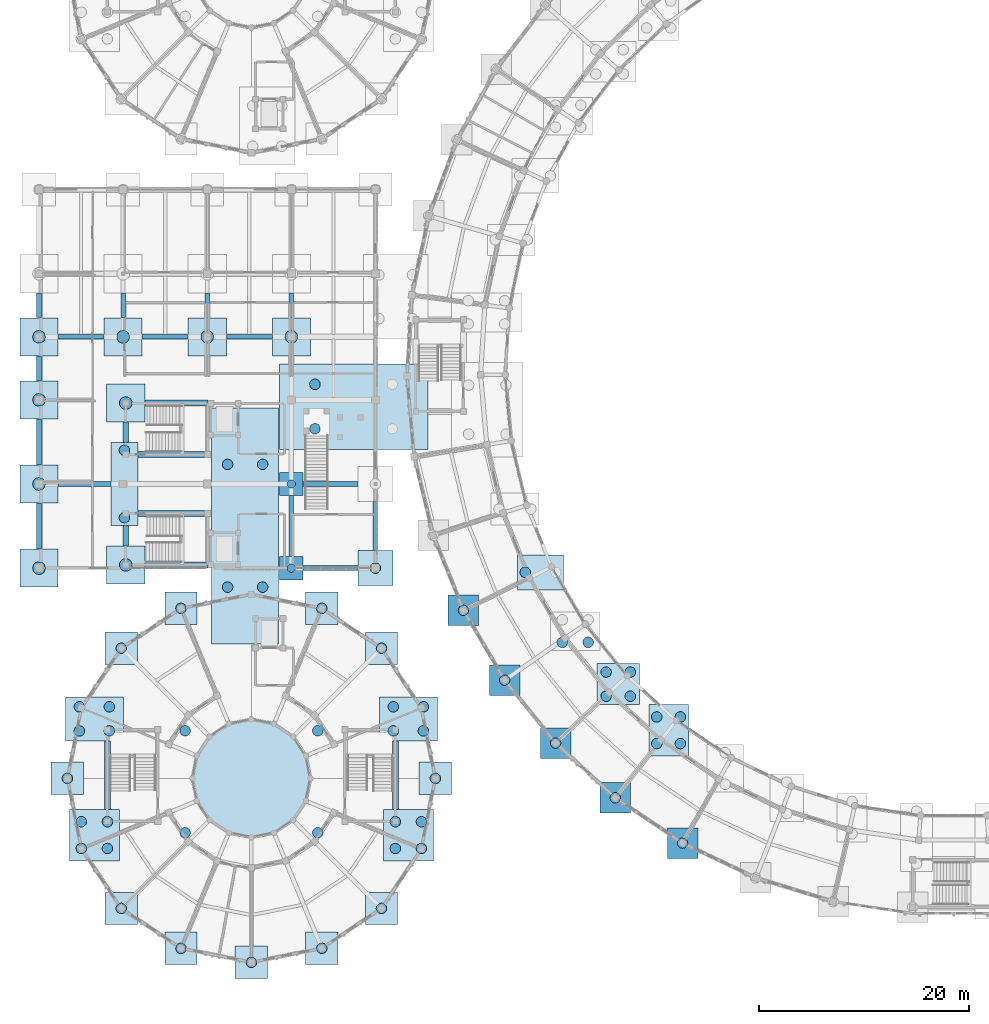
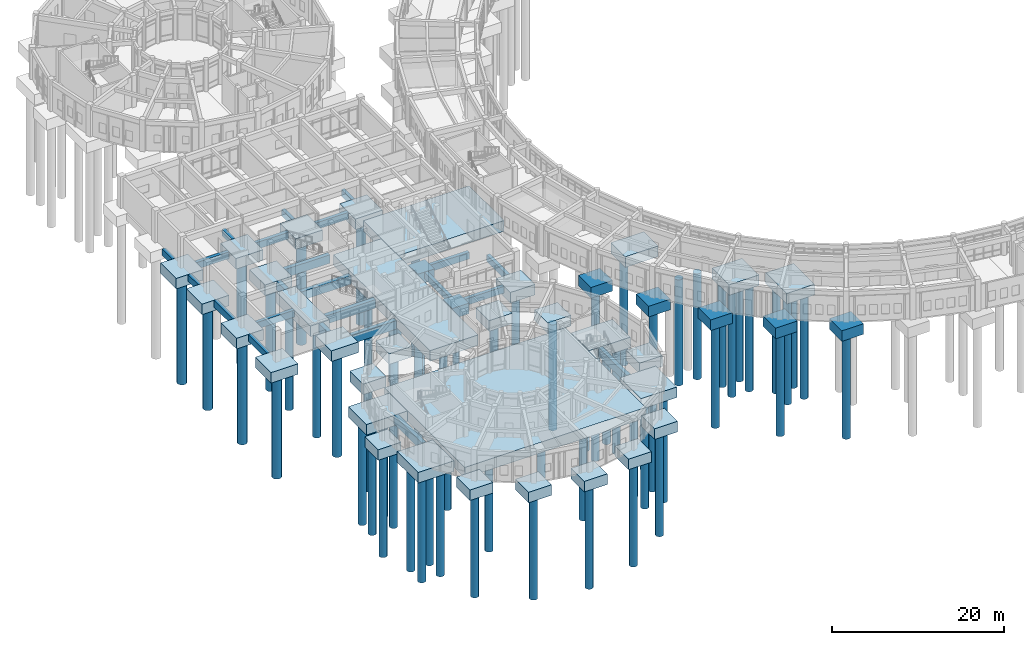
# One storey, part 1 of 153: 67 piles, 62 footings.
"""IFC4 building model written with IfcOpenShell, lengths in metres."""

from ifc_helpers import new_model, si_unit, direction, frame, origin, origin_2d, place, context, subcontext, project, spatial, polyline, rectangle, circle, outline, extrude, material, material_profile, profile_set, type_object, element, save


model = new_model("IFC4")

# Units and contexts
model_context = context("Model", 3, precision=1e-05, world=origin(), true_north=direction((0.0, 1.0)))
body_context = subcontext(model_context, "Body", "Model", "MODEL_VIEW")
ifc_project = project(units=[si_unit("LENGTHUNIT", "METRE"), si_unit("AREAUNIT", "SQUARE_METRE"), si_unit("VOLUMEUNIT", "CUBIC_METRE"), si_unit("PLANEANGLEUNIT", "RADIAN"), si_unit("MASSUNIT", "GRAM", prefix="KILO")], contexts=[model_context])

# Site, building, storey
site_placement = place(None, origin())
site = spatial("IfcSite", under=ifc_project, at=site_placement, CompositionType="ELEMENT")
building_placement = place(site_placement, origin())
building = spatial("IfcBuilding", under=site, at=building_placement, Name="Celadon Cloister-Ring School", CompositionType="ELEMENT")
storey_placement = place(building_placement, origin())
storey = spatial("IfcBuildingStorey", under=building, at=storey_placement, Name="L00", CompositionType="ELEMENT", Elevation=0.0)

# Footings
ifc_material_1 = material(Name="Concrete C40/50", Category="concrete")
footing_type_1 = type_object("IfcFootingType", Name="FC-05", PredefinedType="PILE_CAP", material=ifc_material_1)
for number, where, z_axis, x_axis, name in (
    (1, (40.375, 35.97705078125, -1.5), (0.0, 0.0, 1.0), (1.0, 0.0, 0.0), "Pile Cap 079"),
    (2, (44.2880859375, 29.341064453125, -1.5), (0.0, 0.0, 1.0), (1.0, 0.0, 0.0), "Pile Cap 080"),
    (3, (49.137939453125, 23.35595703125, -1.5), (0.0, 0.0, 1.0), (1.0, 0.0, 0.0), "Pile Cap 081"),
    (4, (54.820068359375, 18.153076171875, -1.5), (0.0, 0.0, 1.0), (1.0, 0.0, 0.0), "Pile Cap 082"),
    (5, (61.2080078125, 13.846923828125, -1.5), (0.0, 0.0, 1.0), (1.0, 0.0, 0.0), "Pile Cap 083"),
):
    element("IfcFooting", number, at=place(storey_placement, frame(where, z_axis=z_axis, x_axis=x_axis)), inside=storey, type_object=footing_type_1, Name=name, PredefinedType="PILE_CAP", context=body_context, shape_type="SweptSolid", body=[
        extrude(rectangle(XDim=2.89990234375, YDim=2.89990234375, at=origin_2d()), origin(), (0.0, 0.0, 1.0), 1.5),
    ])
ifc_material_2 = material(Name="Concrete C40/50", Category="concrete")
footing_type_2 = type_object("IfcFootingType", Name="FC-08", PredefinedType="PILE_CAP", material=ifc_material_2)
footing_1_placement = place(storey_placement, frame((29.925048828125, 55.364990234375, -1.5), z_axis=(0.0, 0.0, 1.0), x_axis=(1.0, 0.0, 0.0)))
element("IfcFooting", 6, at=footing_1_placement, inside=storey, type_object=footing_type_2, Name="Pile Cap 008", PredefinedType="PILE_CAP", context=body_context, shape_type="SweptSolid", body=[
    extrude(rectangle(XDim=14.14990234375, YDim=8.131103515625, at=origin_2d()), origin(), (0.0, 0.0, 1.0), 1.5),
])
ifc_material_3 = material(Name="Concrete C40/50", Category="concrete")
footing_type_3 = type_object("IfcFootingType", Name="FC-13", PredefinedType="PILE_CAP", material=ifc_material_3)
for number, where, z_axis, x_axis, name in (
    (7, (5.26611328125, 14.60205078125, -1.5), (0.0, 0.0, 1.0), (1.0, 0.0, 0.0), "Pile Cap 034"),
    (8, (35.134033203125, 14.60205078125, -1.5), (0.0, 0.0, 1.0), (1.0, 0.0, 0.0), "Pile Cap 037"),
):
    element("IfcFooting", number, at=place(storey_placement, frame(where, z_axis=z_axis, x_axis=x_axis)), inside=storey, type_object=footing_type_3, Name=name, PredefinedType="PILE_CAP", context=body_context, shape_type="SweptSolid", body=[
        extrude(rectangle(XDim=4.76806640625, YDim=4.89697265625, at=origin_2d()), origin(), (0.0, 0.0, 1.0), 1.5),
    ])
ifc_material_4 = material(Name="Concrete C40/50", Category="concrete")
footing_type_4 = type_object("IfcFootingType", Name="FC-14", PredefinedType="PILE_CAP", material=ifc_material_4)
footing_2_placement = place(storey_placement, frame((20.199951171875, 19.677001953125, -1.5), z_axis=(0.0, 0.0, 1.0), x_axis=(1.0, 0.0, 0.0)))
element("IfcFooting", 9, at=footing_2_placement, inside=storey, type_object=footing_type_4, Name="Pile Cap 035", PredefinedType="PILE_CAP", context=body_context, shape_type="SweptSolid", body=[
    extrude(rectangle(XDim=24.2490234375, YDim=18.653076171875, at=origin_2d()), origin(), (0.0, 0.0, 1.0), 1.5),
])
ifc_material_5 = material(Name="Concrete C40/50", Category="concrete")
footing_type_5 = type_object("IfcFootingType", Name="FC-15", PredefinedType="PILE_CAP", material=ifc_material_5)
for number, where, z_axis, x_axis, name in (
    (10, (5.26611328125, 25.658935546875, -1.5), (0.0, 0.0, 1.0), (1.0, 0.0, 0.0), "Pile Cap 036"),
    (11, (35.134033203125, 25.658935546875, -1.5), (0.0, 0.0, 1.0), (1.0, 0.0, 0.0), "Pile Cap 038"),
):
    element("IfcFooting", number, at=place(storey_placement, frame(where, z_axis=z_axis, x_axis=x_axis)), inside=storey, type_object=footing_type_5, Name=name, PredefinedType="PILE_CAP", context=body_context, shape_type="SweptSolid", body=[
        extrude(rectangle(XDim=5.489990234375, YDim=4.177001953125, at=origin_2d()), origin(), (0.0, 0.0, 1.0), 1.5),
    ])
ifc_material_6 = material(Name="Concrete C40/50", Category="concrete")
footing_type_6 = type_object("IfcFootingType", Name="FC-21", PredefinedType="PILE_CAP", material=ifc_material_6)
for number, where, z_axis, x_axis, name in (
    (12, (8.25, 40.300048828125, -1.5), (0.0, 0.0, 1.0), (1.0, 0.0, 0.0), "Pile Cap 030"),
    (13, (8.25, 55.699951171875, -1.5), (0.0, 0.0, 1.0), (1.0, 0.0, 0.0), "Pile Cap 033"),
    (14, (0.0, 40.0, -1.5), (0.0, 0.0, 1.0), (1.0, 0.0, 0.0), "Pile Cap 178"),
    (15, (0.0, 48.0, -1.5), (0.0, 0.0, 1.0), (1.0, 0.0, 0.0), "Pile Cap 179"),
    (16, (0.0, 56.0, -1.5), (0.0, 0.0, 1.0), (1.0, 0.0, 0.0), "Pile Cap 180"),
    (17, (0.0, 62.0, -1.5), (0.0, 0.0, 1.0), (1.0, 0.0, 0.0), "Pile Cap 181"),
    (18, (16.0, 62.0, -1.5), (0.0, 0.0, 1.0), (1.0, 0.0, 0.0), "Pile Cap 184"),
    (19, (24.0, 62.0, -1.5), (0.0, 0.0, 1.0), (1.0, 0.0, 0.0), "Pile Cap 189"),
    (20, (8.0, 62.0, -1.5), (0.0, 0.0, 1.0), (1.0, 0.0, 0.0), "Pile Cap 196"),
):
    element("IfcFooting", number, at=place(storey_placement, frame(where, z_axis=z_axis, x_axis=x_axis)), inside=storey, type_object=footing_type_6, Name=name, PredefinedType="PILE_CAP", context=body_context, shape_type="SweptSolid", body=[
        extrude(rectangle(XDim=3.6201171875, YDim=3.6201171875, at=origin_2d()), origin(), (0.0, 0.0, 1.0), 1.5),
    ])
ifc_material_7 = material(Name="Concrete C40/50", Category="concrete")
footing_type_7 = type_object("IfcFootingType", Name="FC-22", PredefinedType="PILE_CAP", material=ifc_material_7)
footing_3_placement = place(storey_placement, frame((19.60009765625, 44.02490234375, -1.5), z_axis=(0.0, 0.0, 1.0), x_axis=(1.0, 0.0, 0.0)))
element("IfcFooting", 21, at=footing_3_placement, inside=storey, type_object=footing_type_7, Name="Pile Cap 031", PredefinedType="PILE_CAP", context=body_context, shape_type="SweptSolid", body=[
    extrude(rectangle(XDim=6.39990234375, YDim=22.449951171875, at=origin_2d()), origin(), (0.0, 0.0, 1.0), 1.5),
])
ifc_material_8 = material(Name="Concrete C40/50", Category="concrete")
footing_type_8 = type_object("IfcFootingType", Name="FC-23", PredefinedType="PILE_CAP", material=ifc_material_8)
footing_4_placement = place(storey_placement, frame((8.125, 48.0, -1.5), z_axis=(0.0, 0.0, 1.0), x_axis=(1.0, 0.0, 0.0)))
element("IfcFooting", 22, at=footing_4_placement, inside=storey, type_object=footing_type_8, Name="Pile Cap 032", PredefinedType="PILE_CAP", context=body_context, shape_type="SweptSolid", body=[
    extrude(rectangle(XDim=2.550048828125, YDim=7.89990234375, at=origin_2d()), origin(), (0.0, 0.0, 1.0), 1.5),
])
ifc_material_9 = material(Name="Concrete C40/50", Category="concrete")
footing_type_9 = type_object("IfcFootingType", Name="FC-35", PredefinedType="PILE_CAP", material=ifc_material_9)
footing_5_placement = place(storey_placement, frame((47.705078125, 39.595947265625, -1.5), z_axis=(0.0, 0.0, 1.0), x_axis=(1.0, 0.0, 0.0)))
element("IfcFooting", 23, at=footing_5_placement, inside=storey, type_object=footing_type_9, Name="Pile Cap 050", PredefinedType="PILE_CAP", context=body_context, shape_type="SweptSolid", body=[
    extrude(rectangle(XDim=4.406982421875, YDim=3.340087890625, at=origin_2d()), origin(), (0.0, 0.0, 1.0), 1.5),
])
ifc_material_10 = material(Name="Concrete C40/50", Category="concrete")
footing_type_10 = type_object("IfcFootingType", Name="FC-37", PredefinedType="PILE_CAP", material=ifc_material_10)
footing_6_placement = place(storey_placement, frame((55.090087890625, 28.958984375, -1.5), z_axis=(0.0, 0.0, 1.0), x_axis=(1.0, 0.0, 0.0)))
element("IfcFooting", 24, at=footing_6_placement, inside=storey, type_object=footing_type_10, Name="Pile Cap 052", PredefinedType="PILE_CAP", context=body_context, shape_type="SweptSolid", body=[
    extrude(rectangle(XDim=4.010986328125, YDim=3.910888671875, at=origin_2d()), origin(), (0.0, 0.0, 1.0), 1.5),
])
ifc_material_11 = material(Name="Concrete C40/50", Category="concrete")
footing_type_11 = type_object("IfcFootingType", Name="FC-38", PredefinedType="PILE_CAP", material=ifc_material_11)
footing_7_placement = place(storey_placement, frame((59.87890625, 24.574951171875, -1.5), z_axis=(0.0, 0.0, 1.0), x_axis=(1.0, 0.0, 0.0)))
element("IfcFooting", 25, at=footing_7_placement, inside=storey, type_object=footing_type_11, Name="Pile Cap 053", PredefinedType="PILE_CAP", context=body_context, shape_type="SweptSolid", body=[
    extrude(rectangle(XDim=3.75390625, YDim=4.8798828125, at=origin_2d()), origin(), (0.0, 0.0, 1.0), 1.5),
])
ifc_material_12 = material(Name="Concrete C40/50", Category="concrete")
footing_type_12 = type_object("IfcFootingType", Name="FC-48", PredefinedType="PILE_CAP", material=ifc_material_12)
for number, where, z_axis, x_axis, name in (
    (26, (24.0, 40.0, -1.5), (0.0, 0.0, 1.0), (1.0, 0.0, 0.0), "Pile Cap 187"),
    (27, (24.0, 48.0, -1.5), (0.0, 0.0, 1.0), (1.0, 0.0, 0.0), "Pile Cap 188"),
):
    element("IfcFooting", number, at=place(storey_placement, frame(where, z_axis=z_axis, x_axis=x_axis)), inside=storey, type_object=footing_type_12, Name=name, PredefinedType="PILE_CAP", context=body_context, shape_type="SweptSolid", body=[
        extrude(rectangle(XDim=2.219970703125, YDim=2.219970703125, at=origin_2d()), origin(), (0.0, 0.0, 1.0), 1.5),
    ])
ifc_material_13 = material(Name="Concrete C40/50", Category="concrete")
footing_type_13 = type_object("IfcFootingType", Name="FC-49", PredefinedType="PILE_CAP", material=ifc_material_13)
footing_8_placement = place(storey_placement, frame((32.0, 40.0, -1.5), z_axis=(0.0, 0.0, 1.0), x_axis=(1.0, 0.0, 0.0)))
element("IfcFooting", 28, at=footing_8_placement, inside=storey, type_object=footing_type_13, Name="Pile Cap 192", PredefinedType="PILE_CAP", context=body_context, shape_type="SweptSolid", body=[
    extrude(rectangle(XDim=3.320068359375, YDim=3.320068359375, at=origin_2d()), origin(), (0.0, 0.0, 1.0), 1.5),
])
ifc_material_14 = material(Name="Concrete C40/50", Category="concrete")
footing_type_14 = type_object("IfcFootingType", Name="FC-50", PredefinedType="PILE_CAP", material=ifc_material_14)
for number, where, z_axis, x_axis, name in (
    (29, (37.699951171875, 20.0, -1.5), (0.0, 0.0, 1.0), (1.0, 0.0, 0.0), "Pile Cap 199"),
    (30, (32.573974609375, 32.3740234375, -1.5), (0.0, 0.0, 1.0), (1.0, 0.0, 0.0), "Pile Cap 200"),
    (31, (26.89697265625, 36.16796875, -1.5), (0.0, 0.0, 1.0), (1.0, 0.0, 0.0), "Pile Cap 201"),
    (32, (13.5029296875, 36.16796875, -1.5), (0.0, 0.0, 1.0), (1.0, 0.0, 0.0), "Pile Cap 202"),
    (33, (7.825927734375, 32.3740234375, -1.5), (0.0, 0.0, 1.0), (1.0, 0.0, 0.0), "Pile Cap 203"),
    (34, (2.699951171875, 20.0, -1.5), (0.0, 0.0, 1.0), (1.0, 0.0, 0.0), "Pile Cap 204"),
    (35, (7.825927734375, 7.6259765625, -1.5), (0.0, 0.0, 1.0), (1.0, 0.0, 0.0), "Pile Cap 205"),
    (36, (13.5029296875, 3.83203125, -1.5), (0.0, 0.0, 1.0), (1.0, 0.0, 0.0), "Pile Cap 206"),
    (37, (20.199951171875, 2.5, -1.5), (0.0, 0.0, 1.0), (1.0, 0.0, 0.0), "Pile Cap 207"),
    (38, (26.89697265625, 3.83203125, -1.5), (0.0, 0.0, 1.0), (1.0, 0.0, 0.0), "Pile Cap 208"),
    (39, (32.573974609375, 7.6259765625, -1.5), (0.0, 0.0, 1.0), (1.0, 0.0, 0.0), "Pile Cap 209"),
):
    element("IfcFooting", number, at=place(storey_placement, frame(where, z_axis=z_axis, x_axis=x_axis)), inside=storey, type_object=footing_type_14, Name=name, PredefinedType="PILE_CAP", context=body_context, shape_type="SweptSolid", body=[
        extrude(rectangle(XDim=3.080078125, YDim=3.080078125, at=origin_2d()), origin(), (0.0, 0.0, 1.0), 1.5),
    ])

# Piles
ifc_material_15 = material(Name="Concrete C35/45", Category="concrete")
ifc_material_profile_1 = material_profile(ifc_material_15, circle(Radius=0.39990234375, at=origin_2d()), Name="PILE800")
ifc_profile_set_1 = profile_set([ifc_material_profile_1], Name="Concrete C35/45")
pile_type_1 = type_object("IfcPileType", Name="PL-01", PredefinedType="BORED", material=ifc_profile_set_1)
for number, where, z_axis, x_axis, name in (
    (40, (24.0, 40.0, -1.39990234375), (0.0, 0.0, -1.0), (1.0, 0.0, 0.0), "Bored Pile 0324"),
    (41, (24.0, 48.0, -1.39990234375), (0.0, 0.0, -1.0), (1.0, 0.0, 0.0), "Bored Pile 0325"),
):
    element("IfcPile", number, at=place(storey_placement, frame(where, z_axis=z_axis, x_axis=x_axis)), inside=storey, type_object=pile_type_1, Name=name, PredefinedType="BORED", context=body_context, shape_type="SweptSolid", body=[
        extrude(circle(Radius=0.39990234375, at=origin_2d()), origin(), (0.0, 0.0, 1.0), 15.0),
    ])
ifc_material_16 = material(Name="Concrete C35/45", Category="concrete")
ifc_material_profile_2 = material_profile(ifc_material_16, circle(Radius=0.5, at=origin_2d()), Name="PILE1000")
ifc_profile_set_2 = profile_set([ifc_material_profile_2], Name="Concrete C35/45")
pile_type_2 = type_object("IfcPileType", Name="PL-02", PredefinedType="BORED", material=ifc_profile_set_2)
for number, where, z_axis, x_axis, name in (
    (42, (26.24609375, 53.2509765625, -1.39990234375), (0.0, 0.0, -1.0), (1.0, 0.0, 0.0), "Bored Pile 0024"),
    (43, (26.24609375, 57.47900390625, -1.39990234375), (0.0, 0.0, -1.0), (1.0, 0.0, 0.0), "Bored Pile 0027"),
    (44, (17.93603515625, 38.18798828125, -1.39990234375), (0.0, 0.0, -1.0), (1.0, 0.0, 0.0), "Bored Pile 0085"),
    (45, (21.263916015625, 38.18798828125, -1.39990234375), (0.0, 0.0, -1.0), (1.0, 0.0, 0.0), "Bored Pile 0086"),
    (46, (21.263916015625, 49.862060546875, -1.39990234375), (0.0, 0.0, -1.0), (1.0, 0.0, 0.0), "Bored Pile 0087"),
    (47, (17.93603515625, 49.862060546875, -1.39990234375), (0.0, 0.0, -1.0), (1.0, 0.0, 0.0), "Bored Pile 0088"),
    (48, (8.125, 44.800048828125, -1.39990234375), (0.0, 0.0, -1.0), (1.0, 0.0, 0.0), "Bored Pile 0089"),
    (49, (8.125, 51.199951171875, -1.39990234375), (0.0, 0.0, -1.0), (1.0, 0.0, 0.0), "Bored Pile 0090"),
    (50, (4.02587890625, 13.3291015625, -1.39990234375), (0.0, 0.0, -1.0), (1.0, 0.0, 0.0), "Bored Pile 0092"),
    (51, (6.506103515625, 13.3291015625, -1.39990234375), (0.0, 0.0, -1.0), (1.0, 0.0, 0.0), "Bored Pile 0093"),
    (52, (6.506103515625, 15.875, -1.39990234375), (0.0, 0.0, -1.0), (1.0, 0.0, 0.0), "Bored Pile 0094"),
    (53, (4.02587890625, 15.875, -1.39990234375), (0.0, 0.0, -1.0), (1.0, 0.0, 0.0), "Bored Pile 0095"),
    (54, (13.89501953125, 14.826904296875, -1.39990234375), (0.0, 0.0, -1.0), (1.0, 0.0, 0.0), "Bored Pile 0096"),
    (55, (26.5048828125, 14.826904296875, -1.39990234375), (0.0, 0.0, -1.0), (1.0, 0.0, 0.0), "Bored Pile 0097"),
    (56, (26.5048828125, 24.527099609375, -1.39990234375), (0.0, 0.0, -1.0), (1.0, 0.0, 0.0), "Bored Pile 0098"),
    (57, (13.89501953125, 24.527099609375, -1.39990234375), (0.0, 0.0, -1.0), (1.0, 0.0, 0.0), "Bored Pile 0099"),
    (58, (3.839111328125, 24.509033203125, -1.39990234375), (0.0, 0.0, -1.0), (1.0, 0.0, 0.0), "Bored Pile 0100"),
    (59, (6.693115234375, 24.509033203125, -1.39990234375), (0.0, 0.0, -1.0), (1.0, 0.0, 0.0), "Bored Pile 0101"),
    (60, (6.693115234375, 26.80908203125, -1.39990234375), (0.0, 0.0, -1.0), (1.0, 0.0, 0.0), "Bored Pile 0102"),
    (61, (3.839111328125, 26.80908203125, -1.39990234375), (0.0, 0.0, -1.0), (1.0, 0.0, 0.0), "Bored Pile 0103"),
    (62, (33.89404296875, 13.3291015625, -1.39990234375), (0.0, 0.0, -1.0), (1.0, 0.0, 0.0), "Bored Pile 0104"),
    (63, (36.3740234375, 13.3291015625, -1.39990234375), (0.0, 0.0, -1.0), (1.0, 0.0, 0.0), "Bored Pile 0105"),
    (64, (36.3740234375, 15.875, -1.39990234375), (0.0, 0.0, -1.0), (1.0, 0.0, 0.0), "Bored Pile 0106"),
    (65, (33.89404296875, 15.875, -1.39990234375), (0.0, 0.0, -1.0), (1.0, 0.0, 0.0), "Bored Pile 0107"),
    (66, (33.70703125, 24.509033203125, -1.39990234375), (0.0, 0.0, -1.0), (1.0, 0.0, 0.0), "Bored Pile 0108"),
    (67, (36.56103515625, 24.509033203125, -1.39990234375), (0.0, 0.0, -1.0), (1.0, 0.0, 0.0), "Bored Pile 0109"),
    (68, (36.56103515625, 26.80908203125, -1.39990234375), (0.0, 0.0, -1.0), (1.0, 0.0, 0.0), "Bored Pile 0110"),
    (69, (33.70703125, 26.80908203125, -1.39990234375), (0.0, 0.0, -1.0), (1.0, 0.0, 0.0), "Bored Pile 0111"),
    (70, (46.2509765625, 39.595947265625, -1.39990234375), (0.0, 0.0, -1.0), (1.0, 0.0, 0.0), "Bored Pile 0150"),
    (71, (49.77197265625, 32.93310546875, -1.39990234375), (0.0, 0.0, -1.0), (1.0, 0.0, 0.0), "Bored Pile 0152"),
    (72, (52.23388671875, 32.93310546875, -1.39990234375), (0.0, 0.0, -1.0), (1.0, 0.0, 0.0), "Bored Pile 0153"),
    (73, (53.93994140625, 27.80908203125, -1.39990234375), (0.0, 0.0, -1.0), (1.0, 0.0, 0.0), "Bored Pile 0156"),
    (74, (56.239990234375, 27.80908203125, -1.39990234375), (0.0, 0.0, -1.0), (1.0, 0.0, 0.0), "Bored Pile 0157"),
    (75, (56.239990234375, 30.10888671875, -1.39990234375), (0.0, 0.0, -1.0), (1.0, 0.0, 0.0), "Bored Pile 0158"),
    (76, (53.93994140625, 30.10888671875, -1.39990234375), (0.0, 0.0, -1.0), (1.0, 0.0, 0.0), "Bored Pile 0159"),
    (77, (58.751953125, 23.305908203125, -1.39990234375), (0.0, 0.0, -1.0), (1.0, 0.0, 0.0), "Bored Pile 0160"),
    (78, (61.006103515625, 23.305908203125, -1.39990234375), (0.0, 0.0, -1.0), (1.0, 0.0, 0.0), "Bored Pile 0161"),
    (79, (61.006103515625, 25.843994140625, -1.39990234375), (0.0, 0.0, -1.0), (1.0, 0.0, 0.0), "Bored Pile 0162"),
    (80, (58.751953125, 25.843994140625, -1.39990234375), (0.0, 0.0, -1.0), (1.0, 0.0, 0.0), "Bored Pile 0163"),
    (81, (40.375, 35.97705078125, -1.39990234375), (0.0, 0.0, -1.0), (1.0, 0.0, 0.0), "Bored Pile 0217"),
    (82, (44.2880859375, 29.341064453125, -1.39990234375), (0.0, 0.0, -1.0), (1.0, 0.0, 0.0), "Bored Pile 0218"),
    (83, (49.137939453125, 23.35595703125, -1.39990234375), (0.0, 0.0, -1.0), (1.0, 0.0, 0.0), "Bored Pile 0219"),
    (84, (54.820068359375, 18.153076171875, -1.39990234375), (0.0, 0.0, -1.0), (1.0, 0.0, 0.0), "Bored Pile 0220"),
    (85, (61.2080078125, 13.846923828125, -1.39990234375), (0.0, 0.0, -1.0), (1.0, 0.0, 0.0), "Bored Pile 0221"),
    (86, (32.0, 40.0, -1.39990234375), (0.0, 0.0, -1.0), (1.0, 0.0, 0.0), "Bored Pile 0329"),
    (87, (37.699951171875, 20.0, -1.39990234375), (0.0, 0.0, -1.0), (1.0, 0.0, 0.0), "Bored Pile 0335"),
    (88, (32.573974609375, 32.3740234375, -1.39990234375), (0.0, 0.0, -1.0), (1.0, 0.0, 0.0), "Bored Pile 0336"),
    (89, (26.89697265625, 36.16796875, -1.39990234375), (0.0, 0.0, -1.0), (1.0, 0.0, 0.0), "Bored Pile 0337"),
    (90, (13.5029296875, 36.16796875, -1.39990234375), (0.0, 0.0, -1.0), (1.0, 0.0, 0.0), "Bored Pile 0338"),
    (91, (7.825927734375, 32.3740234375, -1.39990234375), (0.0, 0.0, -1.0), (1.0, 0.0, 0.0), "Bored Pile 0339"),
    (92, (2.699951171875, 20.0, -1.39990234375), (0.0, 0.0, -1.0), (1.0, 0.0, 0.0), "Bored Pile 0340"),
    (93, (7.825927734375, 7.6259765625, -1.39990234375), (0.0, 0.0, -1.0), (1.0, 0.0, 0.0), "Bored Pile 0341"),
    (94, (13.5029296875, 3.83203125, -1.39990234375), (0.0, 0.0, -1.0), (1.0, 0.0, 0.0), "Bored Pile 0342"),
    (95, (20.199951171875, 2.5, -1.39990234375), (0.0, 0.0, -1.0), (1.0, 0.0, 0.0), "Bored Pile 0343"),
    (96, (26.89697265625, 3.83203125, -1.39990234375), (0.0, 0.0, -1.0), (1.0, 0.0, 0.0), "Bored Pile 0344"),
    (97, (32.573974609375, 7.6259765625, -1.39990234375), (0.0, 0.0, -1.0), (1.0, 0.0, 0.0), "Bored Pile 0345"),
):
    element("IfcPile", number, at=place(storey_placement, frame(where, z_axis=z_axis, x_axis=x_axis)), inside=storey, type_object=pile_type_2, Name=name, PredefinedType="BORED", context=body_context, shape_type="SweptSolid", body=[
        extrude(circle(Radius=0.5, at=origin_2d()), origin(), (0.0, 0.0, 1.0), 15.0),
    ])
ifc_material_17 = material(Name="Concrete C35/45", Category="concrete")
ifc_material_profile_3 = material_profile(ifc_material_17, circle(Radius=0.60009765625, at=origin_2d()), Name="PILE1200")
ifc_profile_set_3 = profile_set([ifc_material_profile_3], Name="Concrete C35/45")
pile_type_3 = type_object("IfcPileType", Name="PL-03", PredefinedType="BORED", material=ifc_profile_set_3)
for number, where, z_axis, x_axis, name in (
    (98, (8.25, 40.300048828125, -1.39990234375), (0.0, 0.0, -1.0), (1.0, 0.0, 0.0), "Bored Pile 0084"),
    (99, (8.25, 55.699951171875, -1.39990234375), (0.0, 0.0, -1.0), (1.0, 0.0, 0.0), "Bored Pile 0091"),
    (100, (0.0, 40.0, -1.39990234375), (0.0, 0.0, -1.0), (1.0, 0.0, 0.0), "Bored Pile 0315"),
    (101, (0.0, 48.0, -1.39990234375), (0.0, 0.0, -1.0), (1.0, 0.0, 0.0), "Bored Pile 0316"),
    (102, (0.0, 56.0, -1.39990234375), (0.0, 0.0, -1.0), (1.0, 0.0, 0.0), "Bored Pile 0317"),
    (103, (0.0, 62.0, -1.39990234375), (0.0, 0.0, -1.0), (1.0, 0.0, 0.0), "Bored Pile 0318"),
    (104, (16.0, 62.0, -1.39990234375), (0.0, 0.0, -1.0), (1.0, 0.0, 0.0), "Bored Pile 0321"),
    (105, (24.0, 62.0, -1.39990234375), (0.0, 0.0, -1.0), (1.0, 0.0, 0.0), "Bored Pile 0326"),
    (106, (8.0, 62.0, -1.39990234375), (0.0, 0.0, -1.0), (1.0, 0.0, 0.0), "Bored Pile 0332"),
):
    element("IfcPile", number, at=place(storey_placement, frame(where, z_axis=z_axis, x_axis=x_axis)), inside=storey, type_object=pile_type_3, Name=name, PredefinedType="BORED", context=body_context, shape_type="SweptSolid", body=[
        extrude(circle(Radius=0.60009765625, at=origin_2d()), origin(), (0.0, 0.0, 1.0), 15.0),
    ])

# Footings
ifc_material_18 = material(Name="Concrete C40/50", Category="concrete")
footing_type_15 = type_object("IfcFootingType", Name="SF-01", PredefinedType="STRIP_FOOTING", material=ifc_material_18)
footing_9_placement = place(storey_placement, frame((0.0, 0.0, -0.949951171875)))
element("IfcFooting", 107, at=footing_9_placement, inside=storey, type_object=footing_type_15, Name="Seismic Tie Strip 0007", PredefinedType="STRIP_FOOTING", context=body_context, shape_type="SweptSolid", body=[
    extrude(outline(polyline([(6.844970703125, 48.22509765625), (1.81494140625, 48.22509765625), (1.81494140625, 47.77490234375), (6.844970703125, 47.77490234375), (6.844970703125, 48.22509765625)])), origin(), (0.0, 0.0, 1.0), 0.949951171875),
])
footing_10_placement = place(storey_placement, frame((0.0, 0.0, -0.949951171875)))
element("IfcFooting", 108, at=footing_10_placement, inside=storey, type_object=footing_type_15, Name="Seismic Tie Strip 0100", PredefinedType="STRIP_FOOTING", context=body_context, shape_type="SweptSolid", body=[
    extrude(outline(polyline([(0.22509765625, 41.81494140625), (0.22509765625, 46.18505859375), (-0.22509765625, 46.18505859375), (-0.22509765625, 41.81494140625), (0.22509765625, 41.81494140625)])), origin(), (0.0, 0.0, 1.0), 0.949951171875),
])
footing_11_placement = place(storey_placement, frame((0.0, 0.0, -0.949951171875)))
element("IfcFooting", 109, at=footing_11_placement, inside=storey, type_object=footing_type_15, Name="Seismic Tie Strip 0101", PredefinedType="STRIP_FOOTING", context=body_context, shape_type="SweptSolid", body=[
    extrude(outline(polyline([(0.22509765625, 49.81494140625), (0.22509765625, 54.18505859375), (-0.22509765625, 54.18505859375), (-0.22509765625, 49.81494140625), (0.22509765625, 49.81494140625)])), origin(), (0.0, 0.0, 1.0), 0.949951171875),
])
footing_12_placement = place(storey_placement, frame((0.0, 0.0, -0.949951171875)))
element("IfcFooting", 110, at=footing_12_placement, inside=storey, type_object=footing_type_15, Name="Seismic Tie Strip 0102", PredefinedType="STRIP_FOOTING", context=body_context, shape_type="SweptSolid", body=[
    extrude(outline(polyline([(0.22509765625, 57.81494140625), (0.22509765625, 60.18505859375), (-0.22509765625, 60.18505859375), (-0.22509765625, 57.81494140625), (0.22509765625, 57.81494140625)])), origin(), (0.0, 0.0, 1.0), 0.949951171875),
])
footing_13_placement = place(storey_placement, frame((0.0, 0.0, -0.949951171875)))
element("IfcFooting", 111, at=footing_13_placement, inside=storey, type_object=footing_type_15, Name="Seismic Tie Strip 0103", PredefinedType="STRIP_FOOTING", context=body_context, shape_type="SweptSolid", body=[
    extrude(outline(polyline([(0.22509765625, 63.81494140625), (0.22509765625, 66.18505859375), (-0.22509765625, 66.18505859375), (-0.22509765625, 63.81494140625), (0.22509765625, 63.81494140625)])), origin(), (0.0, 0.0, 1.0), 0.949951171875),
])
footing_14_placement = place(storey_placement, frame((0.0, 0.0, -0.949951171875)))
element("IfcFooting", 112, at=footing_14_placement, inside=storey, type_object=footing_type_15, Name="Seismic Tie Strip 0104", PredefinedType="STRIP_FOOTING", context=body_context, shape_type="SweptSolid", body=[
    extrude(outline(polyline([(1.81494140625, 61.77490234375), (6.18505859375, 61.77490234375), (6.18505859375, 62.22509765625), (1.81494140625, 62.22509765625), (1.81494140625, 61.77490234375)])), origin(), (0.0, 0.0, 1.0), 0.949951171875),
])
footing_15_placement = place(storey_placement, frame((0.0, 0.0, -0.949951171875)))
element("IfcFooting", 113, at=footing_15_placement, inside=storey, type_object=footing_type_15, Name="Seismic Tie Strip 0108", PredefinedType="STRIP_FOOTING", context=body_context, shape_type="SweptSolid", body=[
    extrude(outline(polyline([(16.22509765625, 63.81494140625), (16.22509765625, 66.18505859375), (15.77490234375, 66.18505859375), (15.77490234375, 63.81494140625), (16.22509765625, 63.81494140625)])), origin(), (0.0, 0.0, 1.0), 0.949951171875),
])
footing_16_placement = place(storey_placement, frame((0.0, 0.0, -0.949951171875)))
element("IfcFooting", 114, at=footing_16_placement, inside=storey, type_object=footing_type_15, Name="Seismic Tie Strip 0109", PredefinedType="STRIP_FOOTING", context=body_context, shape_type="SweptSolid", body=[
    extrude(outline(polyline([(17.81494140625, 61.77490234375), (22.18505859375, 61.77490234375), (22.18505859375, 62.22509765625), (17.81494140625, 62.22509765625), (17.81494140625, 61.77490234375)])), origin(), (0.0, 0.0, 1.0), 0.949951171875),
])
footing_17_placement = place(storey_placement, frame((0.0, 0.0, -0.949951171875)))
element("IfcFooting", 115, at=footing_17_placement, inside=storey, type_object=footing_type_15, Name="Seismic Tie Strip 0110", PredefinedType="STRIP_FOOTING", context=body_context, shape_type="SweptSolid", body=[
    extrude(outline(polyline([(14.18505859375, 62.22509765625), (9.81494140625, 62.22509765625), (9.81494140625, 61.77490234375), (14.18505859375, 61.77490234375), (14.18505859375, 62.22509765625)])), origin(), (0.0, 0.0, 1.0), 0.949951171875),
])
footing_18_placement = place(storey_placement, frame((0.0, 0.0, -0.949951171875)))
element("IfcFooting", 116, at=footing_18_placement, inside=storey, type_object=footing_type_15, Name="Seismic Tie Strip 0116", PredefinedType="STRIP_FOOTING", context=body_context, shape_type="SweptSolid", body=[
    extrude(outline(polyline([(24.22509765625, 41.114990234375), (24.22509765625, 46.885009765625), (23.77490234375, 46.885009765625), (23.77490234375, 41.114990234375), (24.22509765625, 41.114990234375)])), origin(), (0.0, 0.0, 1.0), 0.949951171875),
])
footing_19_placement = place(storey_placement, frame((0.0, 0.0, -0.949951171875)))
element("IfcFooting", 117, at=footing_19_placement, inside=storey, type_object=footing_type_15, Name="Seismic Tie Strip 0117", PredefinedType="STRIP_FOOTING", context=body_context, shape_type="SweptSolid", body=[
    extrude(outline(polyline([(25.114990234375, 39.77490234375), (30.3349609375, 39.77490234375), (30.3349609375, 40.22509765625), (25.114990234375, 40.22509765625), (25.114990234375, 39.77490234375)])), origin(), (0.0, 0.0, 1.0), 0.949951171875),
])
footing_20_placement = place(storey_placement, frame((0.0, 0.0, -0.949951171875)))
element("IfcFooting", 118, at=footing_20_placement, inside=storey, type_object=footing_type_15, Name="Seismic Tie Strip 0118", PredefinedType="STRIP_FOOTING", context=body_context, shape_type="SweptSolid", body=[
    extrude(outline(polyline([(25.114990234375, 47.77490234375), (30.3349609375, 47.77490234375), (30.3349609375, 48.22509765625), (25.114990234375, 48.22509765625), (25.114990234375, 47.77490234375)])), origin(), (0.0, 0.0, 1.0), 0.949951171875),
])
footing_21_placement = place(storey_placement, frame((0.0, 0.0, -0.949951171875)))
element("IfcFooting", 119, at=footing_21_placement, inside=storey, type_object=footing_type_15, Name="Seismic Tie Strip 0119", PredefinedType="STRIP_FOOTING", context=body_context, shape_type="SweptSolid", body=[
    extrude(outline(polyline([(24.22509765625, 63.81494140625), (24.22509765625, 66.18505859375), (23.77490234375, 66.18505859375), (23.77490234375, 63.81494140625), (24.22509765625, 63.81494140625)])), origin(), (0.0, 0.0, 1.0), 0.949951171875),
])
footing_22_placement = place(storey_placement, frame((0.0, 0.0, -0.949951171875)))
element("IfcFooting", 120, at=footing_22_placement, inside=storey, type_object=footing_type_15, Name="Seismic Tie Strip 0122", PredefinedType="STRIP_FOOTING", context=body_context, shape_type="SweptSolid", body=[
    extrude(outline(polyline([(32.22509765625, 41.6650390625), (32.22509765625, 46.3349609375), (31.77490234375, 46.3349609375), (31.77490234375, 41.6650390625), (32.22509765625, 41.6650390625)])), origin(), (0.0, 0.0, 1.0), 0.949951171875),
])
footing_23_placement = place(storey_placement, frame((0.0, 0.0, -0.949951171875)))
element("IfcFooting", 121, at=footing_23_placement, inside=storey, type_object=footing_type_15, Name="Seismic Tie Strip 0123", PredefinedType="STRIP_FOOTING", context=body_context, shape_type="SweptSolid", body=[
    extrude(outline(polyline([(8.22509765625, 63.81494140625), (8.22509765625, 66.18505859375), (7.77490234375, 66.18505859375), (7.77490234375, 63.81494140625), (8.22509765625, 63.81494140625)])), origin(), (0.0, 0.0, 1.0), 0.949951171875),
])
ifc_material_19 = material(Name="Concrete C40/50", Category="concrete")
footing_type_16 = type_object("IfcFootingType", Name="SF-02", PredefinedType="STRIP_FOOTING", material=ifc_material_19)
footing_24_placement = place(storey_placement, frame((0.0, 0.0, -1.199951171875)))
element("IfcFooting", 122, at=footing_24_placement, inside=storey, type_object=footing_type_16, Name="Seismic Tie Strip 0146", PredefinedType="STRIP_FOOTING", context=body_context, shape_type="SweptSolid", body=[
    extrude(outline(polyline([(10.06494140625, 40.02490234375), (16.050048828125, 40.02490234375), (16.050048828125, 40.574951171875), (10.06494140625, 40.574951171875), (10.06494140625, 40.02490234375)])), origin(), (0.0, 0.0, 1.0), 1.199951171875),
])
footing_25_placement = place(storey_placement, frame((0.0, 0.0, -1.199951171875)))
element("IfcFooting", 123, at=footing_25_placement, inside=storey, type_object=footing_type_16, Name="Seismic Tie Strip 0147", PredefinedType="STRIP_FOOTING", context=body_context, shape_type="SweptSolid", body=[
    extrude(outline(polyline([(16.050048828125, 45.47509765625), (9.405029296875, 45.47509765625), (9.405029296875, 44.925048828125), (16.050048828125, 44.925048828125), (16.050048828125, 45.47509765625)])), origin(), (0.0, 0.0, 1.0), 1.199951171875),
])
footing_26_placement = place(storey_placement, frame((0.0, 0.0, -1.199951171875)))
element("IfcFooting", 124, at=footing_26_placement, inside=storey, type_object=footing_type_16, Name="Seismic Tie Strip 0148", PredefinedType="STRIP_FOOTING", context=body_context, shape_type="SweptSolid", body=[
    extrude(outline(polyline([(7.97509765625, 44.044921875), (7.97509765625, 42.114990234375), (8.52490234375, 42.114990234375), (8.52490234375, 44.044921875), (7.97509765625, 44.044921875)])), origin(), (0.0, 0.0, 1.0), 1.199951171875),
])
footing_27_placement = place(storey_placement, frame((0.0, 0.0, -1.199951171875)))
element("IfcFooting", 125, at=footing_27_placement, inside=storey, type_object=footing_type_16, Name="Seismic Tie Strip 0149", PredefinedType="STRIP_FOOTING", context=body_context, shape_type="SweptSolid", body=[
    extrude(outline(polyline([(9.405029296875, 50.52490234375), (16.050048828125, 50.52490234375), (16.050048828125, 51.074951171875), (9.405029296875, 51.074951171875), (9.405029296875, 50.52490234375)])), origin(), (0.0, 0.0, 1.0), 1.199951171875),
])
footing_28_placement = place(storey_placement, frame((0.0, 0.0, -1.199951171875)))
element("IfcFooting", 126, at=footing_28_placement, inside=storey, type_object=footing_type_16, Name="Seismic Tie Strip 0150", PredefinedType="STRIP_FOOTING", context=body_context, shape_type="SweptSolid", body=[
    extrude(outline(polyline([(16.050048828125, 55.97509765625), (10.06494140625, 55.97509765625), (10.06494140625, 55.425048828125), (16.050048828125, 55.425048828125), (16.050048828125, 55.97509765625)])), origin(), (0.0, 0.0, 1.0), 1.199951171875),
])
footing_29_placement = place(storey_placement, frame((0.0, 0.0, -1.199951171875)))
element("IfcFooting", 127, at=footing_29_placement, inside=storey, type_object=footing_type_16, Name="Seismic Tie Strip 0151", PredefinedType="STRIP_FOOTING", context=body_context, shape_type="SweptSolid", body=[
    extrude(outline(polyline([(7.97509765625, 53.885009765625), (7.97509765625, 51.955078125), (8.52490234375, 51.955078125), (8.52490234375, 53.885009765625), (7.97509765625, 53.885009765625)])), origin(), (0.0, 0.0, 1.0), 1.199951171875),
])
footing_30_placement = place(storey_placement, frame((0.0, 0.0, -1.199951171875)))
element("IfcFooting", 128, at=footing_30_placement, inside=storey, type_object=footing_type_16, Name="Seismic Tie Strip 0152", PredefinedType="STRIP_FOOTING", context=body_context, shape_type="SweptSolid", body=[
    extrude(outline(polyline([(6.22509765625, 23.56494140625), (6.22509765625, 17.054931640625), (6.77490234375, 17.054931640625), (6.77490234375, 23.56494140625), (6.22509765625, 23.56494140625)])), origin(), (0.0, 0.0, 1.0), 1.199951171875),
])
footing_31_placement = place(storey_placement, frame((0.0, 0.0, -1.199951171875)))
element("IfcFooting", 129, at=footing_31_placement, inside=storey, type_object=footing_type_16, Name="Seismic Tie Strip 0153", PredefinedType="STRIP_FOOTING", context=body_context, shape_type="SweptSolid", body=[
    extrude(outline(polyline([(34.175048828125, 17.054931640625), (34.175048828125, 23.56494140625), (33.625, 23.56494140625), (33.625, 17.054931640625), (34.175048828125, 17.054931640625)])), origin(), (0.0, 0.0, 1.0), 1.199951171875),
])

save(model, "model.ifc")
